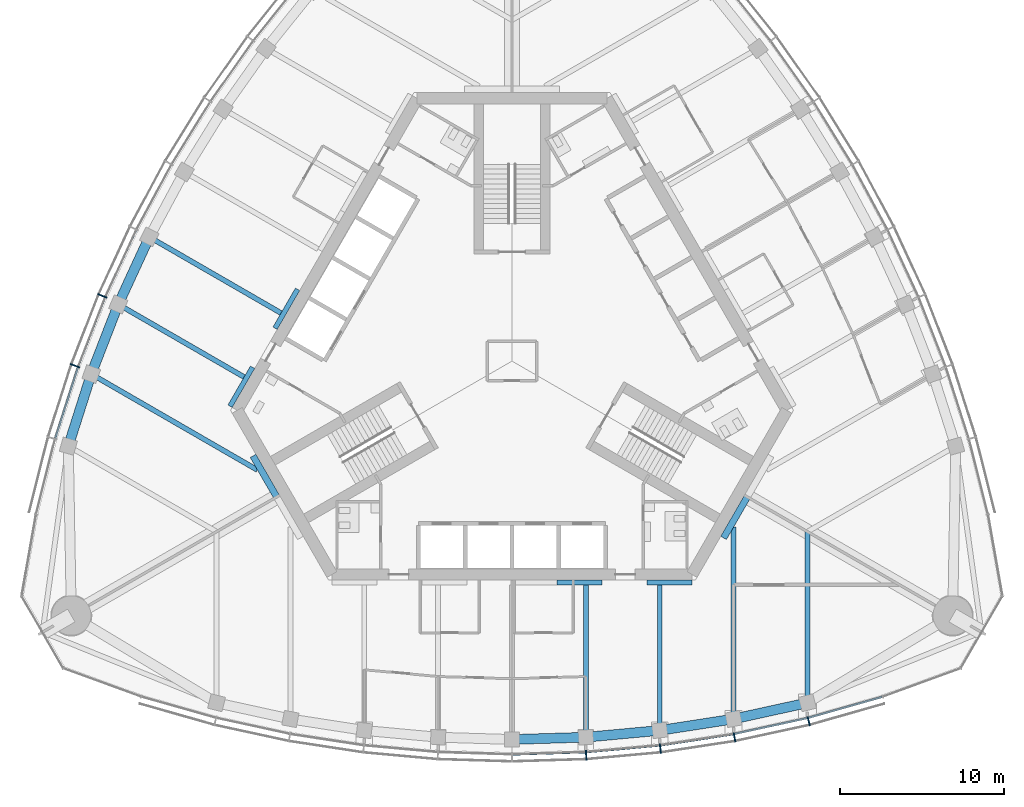
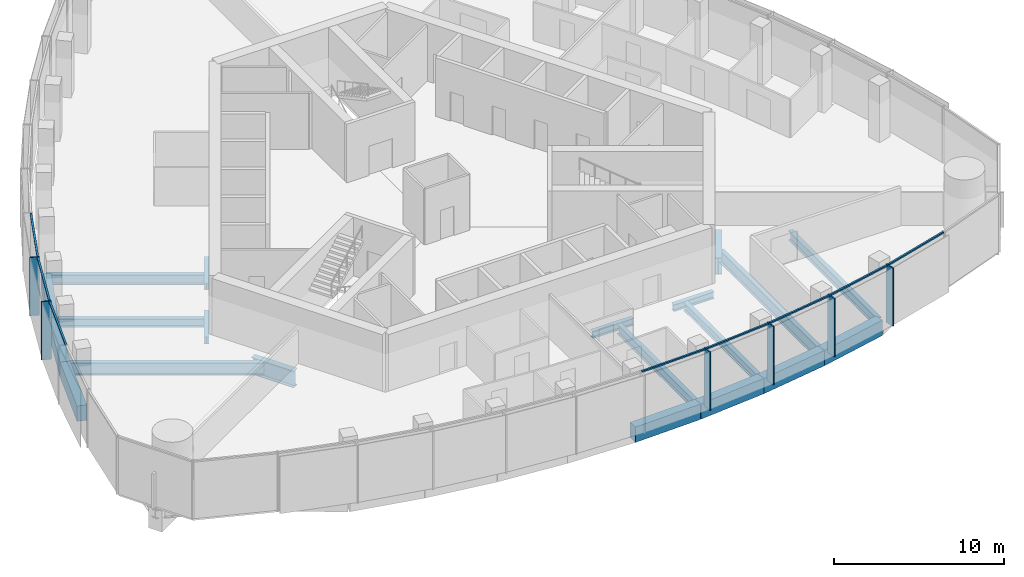
# One storey, part 3 of 16: 20 beams, 14 members, 2 elements without a shape of their own.
"""IFC4 building model written with IfcOpenShell, lengths in metres."""

from ifc_helpers import new_model, si_unit, direction, frame, origin, origin_2d, place, context, subcontext, project, spatial, rectangle, i_section, extrude, material, material_profile, profile_set, type_object, element, aggregate, save


model = new_model("IFC4")

# Units and contexts
model_context = context("Model", 3, precision=1e-05, world=origin(), true_north=direction((0.0, 1.0)))
body_context = subcontext(model_context, "Body", "Model", "MODEL_VIEW")
ifc_project = project(units=[si_unit("LENGTHUNIT", "METRE"), si_unit("AREAUNIT", "SQUARE_METRE"), si_unit("VOLUMEUNIT", "CUBIC_METRE"), si_unit("PLANEANGLEUNIT", "RADIAN"), si_unit("MASSUNIT", "GRAM", prefix="KILO")], contexts=[model_context])

# Site, building, storey
site_placement = place(None, origin())
site = spatial("IfcSite", under=ifc_project, at=site_placement, CompositionType="ELEMENT")
building_placement = place(site_placement, origin())
building = spatial("IfcBuilding", under=site, at=building_placement, Name="Trefoil Bronze Tower", CompositionType="ELEMENT")
storey_placement = place(building_placement, frame((0.0, 0.0, 297.300048828125)))
storey = spatial("IfcBuildingStorey", under=building, at=storey_placement, Name="L68", CompositionType="ELEMENT", Elevation=297.300048828125)

# Curtain wall, members
ifc_material_1 = material(Name="Tinted solar-control glass", Category="glass")
curtain_wall_type = type_object("IfcCurtainWallType", Name="Bronze office curtain wall", PredefinedType="USERDEFINED", material=ifc_material_1)
curtain_wall_1_placement = place(storey_placement, origin())
curtain_wall_1 = element("IfcCurtainWall", 1, at=curtain_wall_1_placement, inside=storey, type_object=curtain_wall_type, Name="CW-A L68 F1", ObjectType="CURTAIN WALL", PredefinedType="USERDEFINED")
ifc_material_2 = material(Name="Bronze-finish aluminium", Category="aluminium")
ifc_material_profile_1 = material_profile(ifc_material_2, rectangle(XDim=0.60009765625, YDim=0.080078125, at=origin_2d()), Name="CW-A mullion")
ifc_profile_set_1 = profile_set([ifc_material_profile_1], Name="Bronze-finish aluminium")
member_type_1 = type_object("IfcMemberType", Name="Bronze office curtain wall mullion", PredefinedType="MULLION", material=ifc_profile_set_1)
member_1_placement = place(storey_placement, frame((4.51806640625, -24.014892578125, 0.0), z_axis=(0.0, 0.0, 1.0), x_axis=(-0.060554040199, 0.998164920349, 0.0)))
member_1 = element("IfcMember", 2, at=member_1_placement, type_object=member_type_1, Name="CW-A L68 F1 mullion 7", PredefinedType="MULLION", context=body_context, shape_type="SweptSolid", body=[
    extrude(rectangle(XDim=0.60009765625, YDim=0.080078125, at=origin_2d()), origin(), (0.0, 0.0, 1.0), 4.179931640625),
])
member_2_placement = place(storey_placement, frame((9.036376953125, -23.602783203125, 0.0), z_axis=(0.0, 0.0, 1.0), x_axis=(-0.121109330868, 0.992639174109, 0.0)))
member_2 = element("IfcMember", 3, at=member_2_placement, type_object=member_type_1, Name="CW-A L68 F1 mullion 8", PredefinedType="MULLION", context=body_context, shape_type="SweptSolid", body=[
    extrude(rectangle(XDim=0.60009765625, YDim=0.080078125, at=origin_2d()), origin(), (0.0, 0.0, 1.0), 4.179931640625),
])
member_3_placement = place(storey_placement, frame((13.554443359375, -22.911376953125, 0.0), z_axis=(0.0, 0.0, 1.0), x_axis=(-0.181667218242, 0.983360067227, 0.0)))
member_3 = element("IfcMember", 4, at=member_3_placement, type_object=member_type_1, Name="CW-A L68 F1 mullion 9", PredefinedType="MULLION", context=body_context, shape_type="SweptSolid", body=[
    extrude(rectangle(XDim=0.60009765625, YDim=0.080078125, at=origin_2d()), origin(), (0.0, 0.0, 1.0), 4.179931640625),
])
member_4_placement = place(storey_placement, frame((18.07275390625, -21.931884765625, 0.0), z_axis=(0.0, 0.0, 1.0), x_axis=(-0.242394494031, 0.97017777199, 0.0)))
member_4 = element("IfcMember", 5, at=member_4_placement, type_object=member_type_1, Name="CW-A L68 F1 mullion 10", PredefinedType="MULLION", context=body_context, shape_type="SweptSolid", body=[
    extrude(rectangle(XDim=0.60009765625, YDim=0.080078125, at=origin_2d()), origin(), (0.0, 0.0, 1.0), 4.179931640625),
])

curtain_wall_2_placement = place(storey_placement, origin())
curtain_wall_2 = element("IfcCurtainWall", 6, at=curtain_wall_2_placement, inside=storey, type_object=curtain_wall_type, Name="CW-A L68 F3", ObjectType="CURTAIN WALL", PredefinedType="USERDEFINED")
member_5_placement = place(storey_placement, frame((-24.958984375, 3.975830078125, 0.0), z_axis=(0.0, 0.0, 1.0), x_axis=(0.920205407004, -0.391435829888, 0.0)))
member_5 = element("IfcMember", 7, at=member_5_placement, type_object=member_type_1, Name="CW-A L68 F3 mullion 8", PredefinedType="MULLION", context=body_context, shape_type="SweptSolid", body=[
    extrude(rectangle(XDim=0.60009765625, YDim=0.080078125, at=origin_2d()), origin(), (0.0, 0.0, 1.0), 4.179931640625),
])
member_6_placement = place(storey_placement, frame((-26.618896484375, -0.282958984375, 0.0), z_axis=(0.0, 0.0, 1.0), x_axis=(0.942448408407, -0.334351607581, 0.0)))
member_6 = element("IfcMember", 8, at=member_6_placement, type_object=member_type_1, Name="CW-A L68 F3 mullion 9", PredefinedType="MULLION", context=body_context, shape_type="SweptSolid", body=[
    extrude(rectangle(XDim=0.60009765625, YDim=0.080078125, at=origin_2d()), origin(), (0.0, 0.0, 1.0), 4.179931640625),
])

# Member
ifc_material_3 = material(Name="Bronze-finish aluminium", Category="aluminium")
ifc_material_profile_2 = material_profile(ifc_material_3, rectangle(XDim=0.1201171875, YDim=0.10009765625, at=origin_2d()), Name="CW-A transom")
ifc_profile_set_2 = profile_set([ifc_material_profile_2], Name="Bronze-finish aluminium")
member_type_2 = type_object("IfcMemberType", Name="Bronze office curtain wall transom", PredefinedType="USERDEFINED", material=ifc_profile_set_2)
member_7_placement = place(storey_placement, frame((0.04296875, -23.950439453125, 4.1298828125), z_axis=(0.99954057115, 0.030309183848, 0.0), x_axis=(-0.030309183848, 0.99954057115, 0.0)))
member_7 = element("IfcMember", 9, at=member_7_placement, type_object=member_type_2, Name="CW-A L68 F1 transom 6", ObjectType="TRANSOM", PredefinedType="USERDEFINED", context=body_context, shape_type="SweptSolid", body=[
    extrude(rectangle(XDim=0.1201171875, YDim=0.10009765625, at=origin_2d()), origin(), (0.0, 0.0, 1.0), 4.422119140625),
])

member_8_placement = place(storey_placement, frame((4.548828125, -23.811279296875, 4.1298828125), z_axis=(0.995868373079, 0.090808499059, 0.0), x_axis=(-0.090808499059, 0.995868373079, 0.0)))
member_8 = element("IfcMember", 10, at=member_8_placement, type_object=member_type_2, Name="CW-A L68 F1 transom 7", ObjectType="TRANSOM", PredefinedType="USERDEFINED", context=body_context, shape_type="SweptSolid", body=[
    extrude(rectangle(XDim=0.1201171875, YDim=0.10009765625, at=origin_2d()), origin(), (0.0, 0.0, 1.0), 4.438720703125),
])

member_9_placement = place(storey_placement, frame((9.0546875, -23.39794921875, 4.1298828125), z_axis=(0.988485016014, 0.151318779787, 0.0), x_axis=(-0.151318779787, 0.988485016014, 0.0)))
member_9 = element("IfcMember", 11, at=member_9_placement, type_object=member_type_2, Name="CW-A L68 F1 transom 8", ObjectType="TRANSOM", PredefinedType="USERDEFINED", context=body_context, shape_type="SweptSolid", body=[
    extrude(rectangle(XDim=0.1201171875, YDim=0.10009765625, at=origin_2d()), origin(), (0.0, 0.0, 1.0), 4.472412109375),
])

member_10_placement = place(storey_placement, frame((13.560302734375, -22.70556640625, 4.1298828125), z_axis=(0.977303780028, 0.211842681117, 0.0), x_axis=(-0.211842681117, 0.977303780028, 0.0)))
member_10 = element("IfcMember", 12, at=member_10_placement, type_object=member_type_2, Name="CW-A L68 F1 transom 9", ObjectType="TRANSOM", PredefinedType="USERDEFINED", context=body_context, shape_type="SweptSolid", body=[
    extrude(rectangle(XDim=0.1201171875, YDim=0.10009765625, at=origin_2d()), origin(), (0.0, 0.0, 1.0), 4.524658203125),
])

member_11_placement = place(storey_placement, frame((18.065673828125, -21.72607421875, 4.1298828125), z_axis=(0.962102611578, 0.272687668944, 0.0), x_axis=(-0.272687668944, 0.962102611578, 0.0)))
member_11 = element("IfcMember", 13, at=member_11_placement, type_object=member_type_2, Name="CW-A L68 F1 transom 10", ObjectType="TRANSOM", PredefinedType="USERDEFINED", context=body_context, shape_type="SweptSolid", body=[
    extrude(rectangle(XDim=0.1201171875, YDim=0.10009765625, at=origin_2d()), origin(), (0.0, 0.0, 1.0), 4.6474609375),
])

aggregate(curtain_wall_1, [member_1, member_2, member_3, member_4, member_7, member_8, member_9, member_10, member_11])

member_12_placement = place(storey_placement, frame((-22.895751953125, 7.966064453125, 4.1298828125), z_axis=(-0.4192988407, -0.907848270466, 0.0), x_axis=(0.907848270466, -0.4192988407, 0.0)))
member_12 = element("IfcMember", 14, at=member_12_placement, type_object=member_type_2, Name="CW-A L68 F3 transom 7", ObjectType="TRANSOM", PredefinedType="USERDEFINED", context=body_context, shape_type="SweptSolid", body=[
    extrude(rectangle(XDim=0.1201171875, YDim=0.10009765625, at=origin_2d()), origin(), (0.0, 0.0, 1.0), 4.4384765625),
])

member_13_placement = place(storey_placement, frame((-24.79052734375, 3.857421875, 4.1298828125), z_axis=(-0.363178486404, -0.931719586042, 0.0), x_axis=(0.931719586042, -0.363178486404, 0.0)))
member_13 = element("IfcMember", 15, at=member_13_placement, type_object=member_type_2, Name="CW-A L68 F3 transom 8", ObjectType="TRANSOM", PredefinedType="USERDEFINED", context=body_context, shape_type="SweptSolid", body=[
    extrude(rectangle(XDim=0.1201171875, YDim=0.10009765625, at=origin_2d()), origin(), (0.0, 0.0, 1.0), 4.472412109375),
])

member_14_placement = place(storey_placement, frame((-26.443603515625, -0.390869140625, 4.1298828125), z_axis=(-0.305198606794, -0.95228872219, 0.0), x_axis=(0.95228872219, -0.305198606794, 0.0)))
member_14 = element("IfcMember", 16, at=member_14_placement, type_object=member_type_2, Name="CW-A L68 F3 transom 9", ObjectType="TRANSOM", PredefinedType="USERDEFINED", context=body_context, shape_type="SweptSolid", body=[
    extrude(rectangle(XDim=0.1201171875, YDim=0.10009765625, at=origin_2d()), origin(), (0.0, 0.0, 1.0), 4.5244140625),
])

aggregate(curtain_wall_2, [member_5, member_6, member_12, member_13, member_14])

# Beams
ifc_material_4 = material(Name="Steel C355", Category="steel")
ifc_material_profile_3 = material_profile(ifc_material_4, i_section(OverallWidth=0.300048828125, OverallDepth=0.5, WebThickness=0.014404296875, FlangeThickness=0.028076171875, FilletRadius=0.027099609375, at=origin_2d()), Name="HEB 500")
ifc_profile_set_3 = profile_set([ifc_material_profile_3], Name="Steel C355")
beam_type_1 = type_object("IfcBeamType", Name="Core seat beam HEB 500", PredefinedType="BEAM", material=ifc_profile_set_3)
for number, where, z_axis, x_axis, name in (
    (17, (2.742431640625, -13.5, -0.449951171875), (1.0, 0.0, 0.0), (0.0, 1.0, 0.0), "Core seat beam F1/+1 L68"),
    (18, (8.227294921875, -13.5, -0.449951171875), (1.0, 0.0, 0.0), (0.0, 1.0, 0.0), "Core seat beam F1/+2 L68"),
    (19, (-13.0625, 4.375, -0.449951171875), (-0.500035825175, -0.866004719122, 0.0), (0.866004719122, -0.500035825175, 0.0), "Core seat beam F3/+1 L68"),
    (20, (-15.804931640625, -0.375, -0.449951171875), (-0.500035825175, -0.866004719122, 0.0), (0.866004719122, -0.500035825175, 0.0), "Core seat beam F3/+2 L68"),
):
    element("IfcBeam", number, at=place(storey_placement, frame(where, z_axis=z_axis, x_axis=x_axis)), inside=storey, type_object=beam_type_1, Name=name, PredefinedType="BEAM", context=body_context, shape_type="SweptSolid", body=[
        extrude(i_section(OverallWidth=0.300048828125, OverallDepth=0.5, WebThickness=0.014404296875, FlangeThickness=0.028076171875, FilletRadius=0.027099609375, at=origin_2d()), origin(), (0.0, 0.0, 1.0), 2.742431640625),
    ])
ifc_material_5 = material(Name="Steel C355", Category="steel")
ifc_material_profile_4 = material_profile(ifc_material_5, i_section(OverallWidth=0.39990234375, OverallDepth=1.199951171875, WebThickness=0.02001953125, FlangeThickness=0.0400390625, FilletRadius=0.010009765625, at=origin_2d()), Name="WPG 1200")
ifc_profile_set_4 = profile_set([ifc_material_profile_4], Name="Steel C355")
beam_type_2 = type_object("IfcBeamType", Name="Core seat beam WPG 1200", PredefinedType="BEAM", material=ifc_profile_set_4)
for number, where, z_axis, x_axis, name in (
    (21, (12.889404296875, -10.77490234375, -0.800048828125), (0.499995765644, 0.866027848477, 0.0), (-0.866027848477, 0.499995765644, 0.0), "Core seat beam F1/+3 L68"),
    (22, (-15.776123046875, -5.77490234375, -0.800048828125), (0.499995765644, -0.866027848477, 0.0), (0.866027848477, 0.499995765644, 0.0), "Core seat beam F3/+3 L68"),
):
    element("IfcBeam", number, at=place(storey_placement, frame(where, z_axis=z_axis, x_axis=x_axis)), inside=storey, type_object=beam_type_2, Name=name, PredefinedType="BEAM", context=body_context, shape_type="SweptSolid", body=[
        extrude(i_section(OverallWidth=0.39990234375, OverallDepth=1.199951171875, WebThickness=0.02001953125, FlangeThickness=0.0400390625, FilletRadius=0.010009765625, at=origin_2d()), origin(), (0.0, 0.0, 1.0), 2.88671875),
    ])
ifc_material_6 = material(Name="Steel C355", Category="steel")
ifc_material_profile_5 = material_profile(ifc_material_6, i_section(OverallWidth=0.300048828125, OverallDepth=0.60009765625, WebThickness=0.015380859375, FlangeThickness=0.030029296875, FilletRadius=0.027099609375, at=origin_2d()), Name="HEB 600")
ifc_profile_set_5 = profile_set([ifc_material_profile_5], Name="Steel C355")
beam_type_3 = type_object("IfcBeamType", Name="Floor beam HEB 600", PredefinedType="BEAM", material=ifc_profile_set_5)
beam_1_placement = place(storey_placement, frame((9.0, -22.499267578125, -0.5), z_axis=(0.0, 1.0, 0.0), x_axis=(-1.0, 0.0, 0.0)))
element("IfcBeam", 23, at=beam_1_placement, inside=storey, type_object=beam_type_3, Name="Floor beam F1/+2 L68", PredefinedType="BEAM", context=body_context, shape_type="SweptSolid", body=[
    extrude(i_section(OverallWidth=0.300048828125, OverallDepth=0.60009765625, WebThickness=0.015380859375, FlangeThickness=0.030029296875, FilletRadius=0.027099609375, at=origin_2d()), origin(), (0.0, 0.0, 1.0), 8.849365234375),
])
beam_2_placement = place(storey_placement, frame((-23.98486328125, 3.455322265625, -0.5), z_axis=(0.866025701847, -0.499999483739, 0.0), x_axis=(0.499999483739, 0.866025701847, 0.0)))
element("IfcBeam", 24, at=beam_2_placement, inside=storey, type_object=beam_type_3, Name="Floor beam F3/+2 L68", PredefinedType="BEAM", context=body_context, shape_type="SweptSolid", body=[
    extrude(i_section(OverallWidth=0.300048828125, OverallDepth=0.60009765625, WebThickness=0.015380859375, FlangeThickness=0.030029296875, FilletRadius=0.027099609375, at=origin_2d()), origin(), (0.0, 0.0, 1.0), 8.84912109375),
])
ifc_material_7 = material(Name="Steel C355", Category="steel")
ifc_material_profile_6 = material_profile(ifc_material_7, i_section(OverallWidth=0.300048828125, OverallDepth=0.699951171875, WebThickness=0.01708984375, FlangeThickness=0.031982421875, FilletRadius=0.027099609375, at=origin_2d()), Name="HEB 700")
ifc_profile_set_6 = profile_set([ifc_material_profile_6], Name="Steel C355")
beam_type_4 = type_object("IfcBeamType", Name="Floor beam HEB 700", PredefinedType="BEAM", material=ifc_profile_set_6)
beam_3_placement = place(storey_placement, frame((4.5, -22.913818359375, -0.550048828125), z_axis=(0.0, 1.0, 0.0), x_axis=(-1.0, 0.0, 0.0)))
element("IfcBeam", 25, at=beam_3_placement, inside=storey, type_object=beam_type_4, Name="Floor beam F1/+1 L68", PredefinedType="BEAM", context=body_context, shape_type="SweptSolid", body=[
    extrude(i_section(OverallWidth=0.300048828125, OverallDepth=0.699951171875, WebThickness=0.01708984375, FlangeThickness=0.031982421875, FilletRadius=0.027099609375, at=origin_2d()), origin(), (0.0, 0.0, 1.0), 9.263916015625),
])
beam_4_placement = place(storey_placement, frame((18.0, -20.816162109375, -0.550048828125), z_axis=(0.0, 1.0, 0.0), x_axis=(-1.0, 0.0, 0.0)))
element("IfcBeam", 26, at=beam_4_placement, inside=storey, type_object=beam_type_4, Name="Floor beam F1/+4 L68", PredefinedType="BEAM", context=body_context, shape_type="SweptSolid", body=[
    extrude(i_section(OverallWidth=0.300048828125, OverallDepth=0.699951171875, WebThickness=0.01708984375, FlangeThickness=0.031982421875, FilletRadius=0.027099609375, at=origin_2d()), origin(), (0.0, 0.0, 1.0), 10.423828125),
])
beam_5_placement = place(storey_placement, frame((-22.093994140625, 7.559814453125, -0.550048828125), z_axis=(0.866028909405, -0.499993928037, 0.0), x_axis=(0.499993928037, 0.866028909405, 0.0)))
element("IfcBeam", 27, at=beam_5_placement, inside=storey, type_object=beam_type_4, Name="Floor beam F3/+1 L68", PredefinedType="BEAM", context=body_context, shape_type="SweptSolid", body=[
    extrude(i_section(OverallWidth=0.300048828125, OverallDepth=0.699951171875, WebThickness=0.01708984375, FlangeThickness=0.031982421875, FilletRadius=0.027099609375, at=origin_2d()), origin(), (0.0, 0.0, 1.0), 9.263671875),
])
ifc_material_8 = material(Name="Steel C355", Category="steel")
ifc_material_profile_7 = material_profile(ifc_material_8, i_section(OverallWidth=0.300048828125, OverallDepth=0.89990234375, WebThickness=0.0185546875, FlangeThickness=0.034912109375, FilletRadius=0.030029296875, at=origin_2d()), Name="HEB 900")
ifc_profile_set_7 = profile_set([ifc_material_profile_7], Name="Steel C355")
beam_type_5 = type_object("IfcBeamType", Name="Floor beam HEB 900", PredefinedType="BEAM", material=ifc_profile_set_7)
beam_6_placement = place(storey_placement, frame((13.5, -21.802734375, -0.650146484375), z_axis=(0.0, 1.0, 0.0), x_axis=(-1.0, 0.0, 0.0)))
element("IfcBeam", 28, at=beam_6_placement, inside=storey, type_object=beam_type_5, Name="Floor beam F1/+3 L68", PredefinedType="BEAM", context=body_context, shape_type="SweptSolid", body=[
    extrude(i_section(OverallWidth=0.300048828125, OverallDepth=0.89990234375, WebThickness=0.0185546875, FlangeThickness=0.034912109375, FilletRadius=0.030029296875, at=origin_2d()), origin(), (0.0, 0.0, 1.0), 11.685302734375),
])
beam_7_placement = place(storey_placement, frame((-25.631591796875, -0.7900390625, -0.650146484375), z_axis=(0.866026929639, -0.499997357134, 0.0), x_axis=(0.499997357134, 0.866026929639, 0.0)))
element("IfcBeam", 29, at=beam_7_placement, inside=storey, type_object=beam_type_5, Name="Floor beam F3/+3 L68", PredefinedType="BEAM", context=body_context, shape_type="SweptSolid", body=[
    extrude(i_section(OverallWidth=0.300048828125, OverallDepth=0.89990234375, WebThickness=0.0185546875, FlangeThickness=0.034912109375, FilletRadius=0.030029296875, at=origin_2d()), origin(), (0.0, 0.0, 1.0), 11.68505859375),
])
ifc_material_9 = material(Name="Concrete B80", Category="concrete")
ifc_material_profile_8 = material_profile(ifc_material_9, rectangle(XDim=0.60009765625, YDim=1.10009765625, at=origin_2d()), Name="RC 600x1100")
ifc_profile_set_8 = profile_set([ifc_material_profile_8], Name="Concrete B80")
beam_type_6 = type_object("IfcBeamType", Name="Spandrel beam RC 600x1100", PredefinedType="SPANDREL", material=ifc_profile_set_8)
beam_8_placement = place(storey_placement, frame((0.0, -23.051513671875, -0.75), z_axis=(0.999532180362, 0.03058464354, 0.0), x_axis=(-0.03058464354, 0.999532180362, 0.0)))
element("IfcBeam", 30, at=beam_8_placement, inside=storey, type_object=beam_type_6, Name="Spandrel F1.6 L68", PredefinedType="SPANDREL", context=body_context, shape_type="SweptSolid", body=[
    extrude(rectangle(XDim=0.60009765625, YDim=1.10009765625, at=origin_2d()), origin(), (0.0, 0.0, 1.0), 4.502197265625),
])
beam_9_placement = place(storey_placement, frame((4.5, -22.913818359375, -0.75), z_axis=(0.995783550481, 0.091733966402, 0.0), x_axis=(-0.091733966402, 0.995783550481, 0.0)))
element("IfcBeam", 31, at=beam_9_placement, inside=storey, type_object=beam_type_6, Name="Spandrel F1.7 L68", PredefinedType="SPANDREL", context=body_context, shape_type="SweptSolid", body=[
    extrude(rectangle(XDim=0.60009765625, YDim=1.10009765625, at=origin_2d()), origin(), (0.0, 0.0, 1.0), 4.51904296875),
])
beam_10_placement = place(storey_placement, frame((9.0, -22.499267578125, -0.75), z_axis=(0.988231820946, 0.152963616816, 0.0), x_axis=(-0.152963616816, 0.988231820946, 0.0)))
element("IfcBeam", 32, at=beam_10_placement, inside=storey, type_object=beam_type_6, Name="Spandrel F1.8 L68", PredefinedType="SPANDREL", context=body_context, shape_type="SweptSolid", body=[
    extrude(rectangle(XDim=0.60009765625, YDim=1.10009765625, at=origin_2d()), origin(), (0.0, 0.0, 1.0), 4.553466796875),
])
beam_11_placement = place(storey_placement, frame((13.5, -21.802734375, -0.75), z_axis=(0.976800342355, 0.214152028182, 0.0), x_axis=(-0.214152028182, 0.976800342355, 0.0)))
element("IfcBeam", 33, at=beam_11_placement, inside=storey, type_object=beam_type_6, Name="Spandrel F1.9 L68", PredefinedType="SPANDREL", context=body_context, shape_type="SweptSolid", body=[
    extrude(rectangle(XDim=0.60009765625, YDim=1.10009765625, at=origin_2d()), origin(), (0.0, 0.0, 1.0), 4.60693359375),
])
beam_12_placement = place(storey_placement, frame((-22.093994140625, 7.559814453125, -0.75), z_axis=(-0.418417425199, -0.90825484215, 0.0), x_axis=(0.90825484215, -0.418417425199, 0.0)))
element("IfcBeam", 34, at=beam_12_placement, inside=storey, type_object=beam_type_6, Name="Spandrel F3.7 L68", PredefinedType="SPANDREL", context=body_context, shape_type="SweptSolid", body=[
    extrude(rectangle(XDim=0.60009765625, YDim=1.10009765625, at=origin_2d()), origin(), (0.0, 0.0, 1.0), 4.51904296875),
])
beam_13_placement = place(storey_placement, frame((-23.98486328125, 3.455322265625, -0.75), z_axis=(-0.361636286502, -0.932319256631, 0.0), x_axis=(0.932319256631, -0.361636286502, 0.0)))
element("IfcBeam", 35, at=beam_13_placement, inside=storey, type_object=beam_type_6, Name="Spandrel F3.8 L68", PredefinedType="SPANDREL", context=body_context, shape_type="SweptSolid", body=[
    extrude(rectangle(XDim=0.60009765625, YDim=1.10009765625, at=origin_2d()), origin(), (0.0, 0.0, 1.0), 4.553466796875),
])
beam_14_placement = place(storey_placement, frame((-25.631591796875, -0.7900390625, -0.75), z_axis=(-0.302969597344, -0.953000221975, 0.0), x_axis=(0.953000221975, -0.302969597344, 0.0)))
element("IfcBeam", 36, at=beam_14_placement, inside=storey, type_object=beam_type_6, Name="Spandrel F3.9 L68", PredefinedType="SPANDREL", context=body_context, shape_type="SweptSolid", body=[
    extrude(rectangle(XDim=0.60009765625, YDim=1.10009765625, at=origin_2d()), origin(), (0.0, 0.0, 1.0), 4.60693359375),
])

save(model, "model.ifc")
